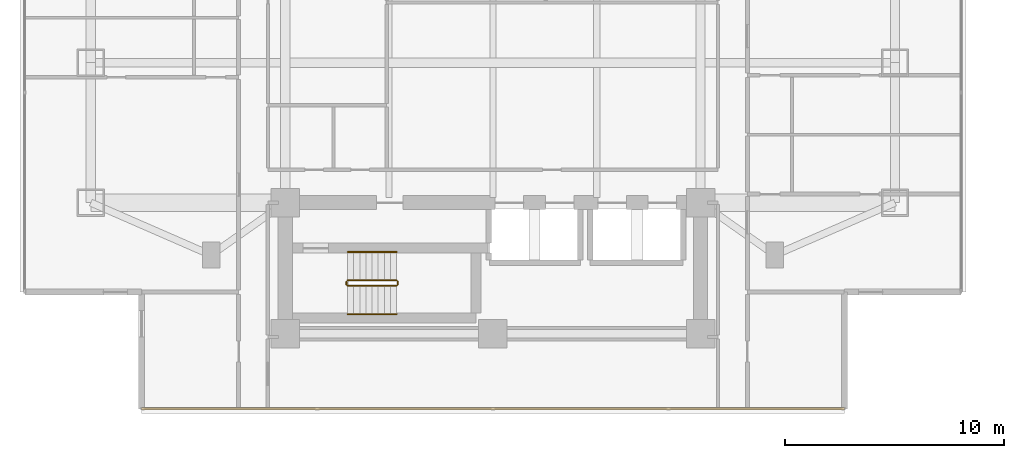
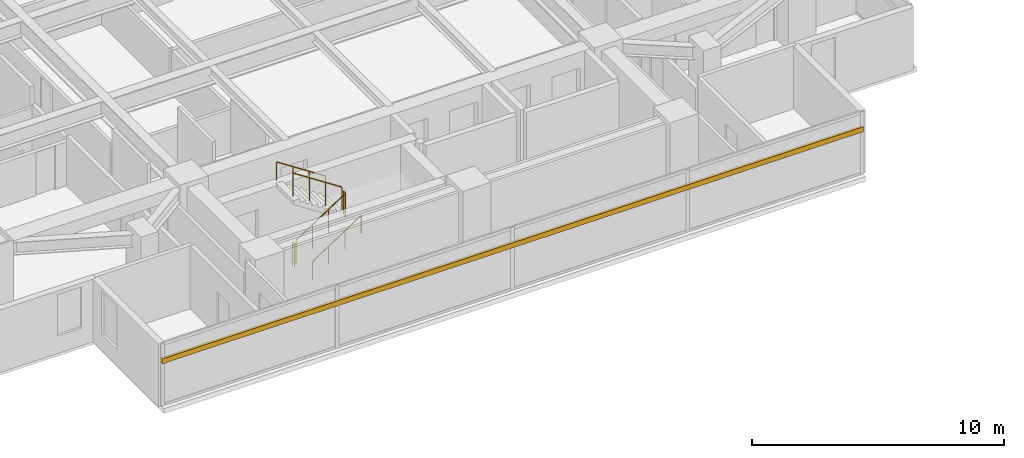
# One storey, part 19 of 24: 6 railings, 1 shading device.
"""IFC4 building model written with IfcOpenShell, lengths in metres."""

import ifcopenshell
import ifcopenshell.guid

model = None  # the IFC model being written
_history = None  # IfcOwnerHistory: only IFC2X3 demands one
_inside = {}  # id of a spatial element -> (the spatial element, [elements in it])
_under = {}  # id of a project, library or spatial element -> (it, [spatial elements below it])
_declared = {}  # id of a project -> (the project, [libraries it declares])
_typed = {}  # id of a type object -> (the type object, [elements of that type])
_made_of = {}  # id of a material, layer set ... -> (it, [elements and type objects made of it])


def new_model(schema):
    """Start an empty IFC model of exactly this schema.

    Asked for "IFC4X3", IfcOpenShell would pick the latest addendum, in which some entities
    have other attributes; the version numbers below select the first issue.
    IFC2X3 requires an IfcOwnerHistory on every rooted entity: one is made here for all.
    """
    global model, _history
    if schema == "IFC4X3":
        model = ifcopenshell.file(schema_version=(4, 3, 0, 0))
    else:
        model = ifcopenshell.file(schema=schema)
    _inside.clear()
    _under.clear()
    _declared.clear()
    _typed.clear()
    _made_of.clear()
    _history = None
    if model.schema == "IFC2X3":
        org = make("IfcOrganization", Name="unknown")
        user = make(
            "IfcPersonAndOrganization",
            ThePerson=make("IfcPerson", FamilyName="unknown"),
            TheOrganization=org,
        )
        app = make(
            "IfcApplication",
            ApplicationDeveloper=org,
            Version="unknown",
            ApplicationFullName="unknown",
            ApplicationIdentifier="unknown",
        )
        _history = make(
            "IfcOwnerHistory",
            OwningUser=user,
            OwningApplication=app,
            ChangeAction="ADDED",
            CreationDate=0,
        )
    return model


def make(cls, **values):
    """One entity of the class cls with the attributes given. An attribute that is None is left unset."""
    return model.create_entity(
        cls, **{name: value for name, value in values.items() if value is not None}
    )


def rooted(cls, **values):
    """An entity with a GlobalId (a new one), such as an element, a storey or a relation."""
    return make(cls, GlobalId=ifcopenshell.guid.new(), OwnerHistory=_history, **values)


def si_unit(unit_type, name, prefix=None):
    """IfcSIUnit, for example si_unit("LENGTHUNIT", "METRE", prefix="MILLI")."""
    return make("IfcSIUnit", UnitType=unit_type, Prefix=prefix, Name=name)


def assignment(units):
    """IfcUnitAssignment: the units of a project."""
    return None if units is None else make("IfcUnitAssignment", Units=units)


def point(xyz):
    """IfcCartesianPoint."""
    return None if xyz is None else make("IfcCartesianPoint", Coordinates=xyz)


def direction(xyz):
    """IfcDirection."""
    return None if xyz is None else make("IfcDirection", DirectionRatios=xyz)


def frame(location, z_axis=None, x_axis=None):
    """IfcAxis2Placement3D, a coordinate frame: its origin and axes. An axis left out is left unset."""
    return make(
        "IfcAxis2Placement3D",
        Location=point(location),
        Axis=direction(z_axis),
        RefDirection=direction(x_axis),
    )


def frame_2d(location, x_axis=None):
    """IfcAxis2Placement2D, a coordinate frame in the plane: its origin and x axis."""
    return make(
        "IfcAxis2Placement2D", Location=point(location), RefDirection=direction(x_axis)
    )


def origin():
    """The frame at (0, 0, 0) with its axes left unset."""
    return frame((0.0, 0.0, 0.0))


def origin_2d():
    """The frame at (0, 0) in the plane with its x axis left unset."""
    return frame_2d((0.0, 0.0))


def place(relative_to, where):
    """IfcLocalPlacement: puts the frame where relative to a parent placement (None: the world)."""
    return make(
        "IfcLocalPlacement", PlacementRelTo=relative_to, RelativePlacement=where
    )


def context(
    kind, dimensions, precision=None, world=None, true_north=None, identifier=None
):
    """IfcGeometricRepresentationContext, for example the 3D "Model" context."""
    return make(
        "IfcGeometricRepresentationContext",
        ContextIdentifier=identifier,
        ContextType=kind,
        CoordinateSpaceDimension=dimensions,
        Precision=precision,
        WorldCoordinateSystem=world,
        TrueNorth=true_north,
    )


def subcontext(parent, identifier, kind, view, scale=None):
    """IfcGeometricRepresentationSubContext, for example "Body" below "Model"."""
    return make(
        "IfcGeometricRepresentationSubContext",
        ContextIdentifier=identifier,
        ContextType=kind,
        ParentContext=parent,
        TargetScale=scale,
        TargetView=view,
    )


def project(units=None, contexts=None):
    """IfcProject with its units and contexts."""
    return rooted(
        "IfcProject",
        Name="project",
        RepresentationContexts=contexts,
        UnitsInContext=assignment(units),
    )


def spatial(cls, under=None, at=None, **own):
    """A site, building, storey or space (cls), placed at a placement, below another one or the project."""
    s = rooted(cls, ObjectPlacement=at, **own)
    if under is not None:
        _under.setdefault(under.id(), (under, []))[1].append(s)
    return s


def profile(cls, at=None, kind="AREA", **sizes):
    """A parametric profile (cls). Its sizes go by their IFC names, for example OverallWidth=200.0."""
    return make(cls, ProfileType=kind, Position=at, **sizes)


def rectangle(**sizes):
    """IfcRectangleProfileDef."""
    return profile("IfcRectangleProfileDef", **sizes)


def circle(**sizes):
    """IfcCircleProfileDef."""
    return profile("IfcCircleProfileDef", **sizes)


def extrude(swept, where, along, depth):
    """IfcExtrudedAreaSolid: the profile swept, set in the frame where, extruded along a direction by depth."""
    return make(
        "IfcExtrudedAreaSolid",
        SweptArea=swept,
        Position=where,
        ExtrudedDirection=direction(along),
        Depth=depth,
    )


def shape(context_of_items, identifier, shape_type, items):
    """IfcShapeRepresentation: the items that make up one representation, for example the "Body"."""
    return make(
        "IfcShapeRepresentation",
        ContextOfItems=context_of_items,
        RepresentationIdentifier=identifier,
        RepresentationType=shape_type,
        Items=items,
    )


def material(Name=None, Category=None):
    """IfcMaterial."""
    return make("IfcMaterial", Name=Name, Category=Category)


def material_profile(
    of_material, cross_section, Name=None, Category=None, Priority=None
):
    """IfcMaterialProfile: a cross section and its material."""
    return make(
        "IfcMaterialProfile",
        Name=Name,
        Material=of_material,
        Profile=cross_section,
        Priority=Priority,
        Category=Category,
    )


def profile_set(profiles, Name=None, composite=None):
    """IfcMaterialProfileSet."""
    return make(
        "IfcMaterialProfileSet",
        Name=Name,
        MaterialProfiles=profiles,
        CompositeProfile=composite,
    )


def made_of(thing, what):
    """Note that an element or type object is made of a material, layer set ...; save() writes the relation."""
    if what is not None:
        _made_of.setdefault(what.id(), (what, []))[1].append(thing)
    return thing


def type_object(cls, material=None, **own):
    """A type object (cls), such as IfcWallType, which elements share."""
    return made_of(rooted(cls, **own), material)


def element(
    cls,
    number,
    at=None,
    inside=None,
    cuts=None,
    type_object=None,
    material=None,
    context=None,
    identifier="Body",
    shape_type=None,
    held_by="IfcProductDefinitionShape",
    body=None,
    shapes=None,
    **own,
):
    """One element of the class cls, such as IfcWall. Its Tag is "e" and its number.

    at: its placement. inside: the storey or other place that contains it. cuts: it is an
    opening in that element (IfcRelVoidsElement). A single representation is given by context,
    identifier, shape_type and body (its items); several are given by shapes. held_by: the class
    of the entity that holds the representations. save() writes the other relations.
    """
    e = rooted(cls, Tag="e%d" % number, ObjectPlacement=at, **own)
    if body is not None:
        shapes = [shape(context, identifier, shape_type, body)]
    if shapes is not None:
        e.Representation = make(held_by, Representations=shapes)
    if inside is not None:
        _inside.setdefault(inside.id(), (inside, []))[1].append(e)
    if cuts is not None:
        rooted(
            "IfcRelVoidsElement", RelatingBuildingElement=cuts, RelatedOpeningElement=e
        )
    if type_object is not None:
        _typed.setdefault(type_object.id(), (type_object, []))[1].append(e)
    return made_of(e, material)


def aggregate(whole, parts):
    """IfcRelAggregates: a whole, such as a stair, and the parts it consists of."""
    return rooted("IfcRelAggregates", RelatingObject=whole, RelatedObjects=parts)


def save(model, path):
    """Write the relations noted so far, then the file.

    IfcRelAggregates (storeys below a building ...), IfcRelContainedInSpatialStructure (elements
    in a storey), IfcRelDefinesByType, IfcRelAssociatesMaterial and IfcRelDeclares: one each for
    every whole, place, type object, material and project.
    """
    for whole, parts in _under.values():
        aggregate(whole, parts)
    for where, things in _inside.values():
        rooted(
            "IfcRelContainedInSpatialStructure",
            RelatedElements=things,
            RelatingStructure=where,
        )
    for kind, things in _typed.values():
        rooted("IfcRelDefinesByType", RelatedObjects=things, RelatingType=kind)
    for what, things in _made_of.values():
        rooted("IfcRelAssociatesMaterial", RelatedObjects=things, RelatingMaterial=what)
    for by, libraries in _declared.values():
        rooted("IfcRelDeclares", RelatingContext=by, RelatedDefinitions=libraries)
    model.write(path)


model = new_model("IFC4")

# Units and contexts
model_context = context("Model", 3, precision=1e-05, world=origin(), true_north=direction((0.0, 1.0)))
body_context = subcontext(model_context, "Body", "Model", "MODEL_VIEW")
ifc_project = project(units=[si_unit("LENGTHUNIT", "METRE"), si_unit("AREAUNIT", "SQUARE_METRE"), si_unit("VOLUMEUNIT", "CUBIC_METRE"), si_unit("PLANEANGLEUNIT", "RADIAN"), si_unit("MASSUNIT", "GRAM", prefix="KILO")], contexts=[model_context])

# Site, building, storey
site_placement = place(None, origin())
site = spatial("IfcSite", under=ifc_project, at=site_placement, CompositionType="ELEMENT")
building_placement = place(site_placement, origin())
building = spatial("IfcBuilding", under=site, at=building_placement, Name="Mirazonda Arch Towers", CompositionType="ELEMENT")
storey_placement = place(building_placement, frame((0.0, 0.0, 62.0)))
storey = spatial("IfcBuildingStorey", under=building, at=storey_placement, Name="L17", CompositionType="ELEMENT", Elevation=62.0)

# Shading device
ifc_material_1 = material(Name="Kiln-Fired Architectural Terracotta", Category="masonry")
ifc_material_profile = material_profile(ifc_material_1, rectangle(XDim=0.1201171875, YDim=0.239990234375, at=origin_2d()), Name="TERRA-BAG-120x240")
ifc_profile_set = profile_set([ifc_material_profile], Name="Kiln-Fired Architectural Terracotta")
shading_device_type = type_object("IfcShadingDeviceType", Name="BAGUETTE-1", PredefinedType="USERDEFINED", material=ifc_profile_set)
shading_device_placement = place(storey_placement, frame((36.580078125, 8.966064453125, 2.188720703125), z_axis=(-1.0, 0.0, 0.0), x_axis=(0.0, -1.0, 0.0)))
element("IfcShadingDevice", 1, at=shading_device_placement, inside=storey, type_object=shading_device_type, Name="L17 Glazed Terracotta Sun-Screen Baguette CW-L17-T1-S", ObjectType="BAGUETTE", PredefinedType="USERDEFINED", context=body_context, shape_type="SweptSolid", body=[
    extrude(rectangle(XDim=0.1201171875, YDim=0.239990234375, at=origin_2d()), origin(), (0.0, 0.0, 1.0), 32.16015625),
])

# Railings
ifc_material_2 = material(Name="Architectural Brushed Steel S355", Category="steel")
railing_type_1 = type_object("IfcRailingType", Name="GUARD-STAIR-1120", PredefinedType="GUARDRAIL", material=ifc_material_2)
railing_1_placement = place(storey_placement, frame((13.85009765625, 14.60009765625, 0.183349609375)))
element("IfcRailing", 2, at=railing_1_placement, inside=storey, type_object=railing_type_1, Name="L17 ST-T1S stair guard 1", PredefinedType="GUARDRAIL", context=body_context, shape_type="SweptSolid", body=[
    extrude(circle(Radius=0.02392578125, at=origin_2d()), frame((0.0, 0.0, 1.1259765625), z_axis=(0.836636935527, 0.0, 0.547757827979), x_axis=(0.0, 1.0, 0.0)), (0.0, 0.0, 1.0), 2.677490234375),
    extrude(circle(Radius=0.02099609375, at=origin_2d()), origin(), (0.0, 0.0, 1.0), 1.101806640625),
    extrude(circle(Radius=0.02099609375, at=origin_2d()), frame((0.74658203125, 0.0, 0.48876953125)), (0.0, 0.0, 1.0), 1.101806640625),
    extrude(circle(Radius=0.02099609375, at=origin_2d()), frame((1.493408203125, 0.0, 0.977783203125)), (0.0, 0.0, 1.0), 1.101806640625),
    extrude(circle(Radius=0.02099609375, at=origin_2d()), frame((2.239990234375, 0.0, 1.466552734375)), (0.0, 0.0, 1.0), 1.101806640625),
])
railing_2_placement = place(storey_placement, frame((16.139892578125, 14.64990234375, 1.64990234375)))
element("IfcRailing", 3, at=railing_2_placement, inside=storey, type_object=railing_type_1, Name="L17 ST-T1S stair guard 2", PredefinedType="GUARDRAIL", context=body_context, shape_type="SweptSolid", body=[
    extrude(circle(Radius=0.02392578125, at=origin_2d()), frame((0.0, 0.0, 1.1259765625), z_axis=(0.0, 1.0, 0.0), x_axis=(-1.0, 0.0, 0.0)), (0.0, 0.0, 1.0), 0.14013671875),
    extrude(circle(Radius=0.02099609375, at=origin_2d()), origin(), (0.0, 0.0, 1.0), 1.101806640625),
    extrude(circle(Radius=0.02099609375, at=origin_2d()), frame((0.0, 0.14013671875, 0.0)), (0.0, 0.0, 1.0), 1.101806640625),
])
railing_3_placement = place(storey_placement, frame((16.090087890625, 14.840087890625, 1.833251953125)))
element("IfcRailing", 4, at=railing_3_placement, inside=storey, type_object=railing_type_1, Name="L17 ST-T1S stair guard 3", PredefinedType="GUARDRAIL", context=body_context, shape_type="SweptSolid", body=[
    extrude(circle(Radius=0.02392578125, at=origin_2d()), frame((0.0, 0.0, 1.1259765625), z_axis=(-0.836595146698, 0.0, 0.547821650285), x_axis=(0.0, -1.0, 0.0)), (0.0, 0.0, 1.0), 2.677490234375),
    extrude(circle(Radius=0.02099609375, at=origin_2d()), origin(), (0.0, 0.0, 1.0), 1.101806640625),
    extrude(circle(Radius=0.02099609375, at=origin_2d()), frame((-0.74658203125, 0.0, 0.489013671875)), (0.0, 0.0, 1.0), 1.101806640625),
    extrude(circle(Radius=0.02099609375, at=origin_2d()), frame((-1.493408203125, 0.0, 0.977783203125)), (0.0, 0.0, 1.0), 1.101806640625),
    extrude(circle(Radius=0.02099609375, at=origin_2d()), frame((-2.239990234375, 0.0, 1.466796875)), (0.0, 0.0, 1.0), 1.101806640625),
])
railing_4_placement = place(storey_placement, frame((13.800048828125, 14.64990234375, 0.0)))
element("IfcRailing", 5, at=railing_4_placement, inside=storey, type_object=railing_type_1, Name="L17 ST-T1S stair guard 4", PredefinedType="GUARDRAIL", context=body_context, shape_type="SweptSolid", body=[
    extrude(circle(Radius=0.02392578125, at=origin_2d()), frame((0.0, 0.0, 1.1259765625), z_axis=(0.0, 1.0, 0.0), x_axis=(-1.0, 0.0, 0.0)), (0.0, 0.0, 1.0), 0.14013671875),
    extrude(circle(Radius=0.02099609375, at=origin_2d()), origin(), (0.0, 0.0, 1.0), 1.101806640625),
    extrude(circle(Radius=0.02099609375, at=origin_2d()), frame((0.0, 0.14013671875, 0.0)), (0.0, 0.0, 1.0), 1.101806640625),
])
railing_type_2 = type_object("IfcRailingType", Name="HANDRAIL-915", PredefinedType="HANDRAIL", material=ifc_material_2)
railing_5_placement = place(storey_placement, frame((13.85009765625, 13.300048828125, 0.183349609375)))
element("IfcRailing", 6, at=railing_5_placement, inside=storey, type_object=railing_type_2, Name="L17 ST-T1S stair handrail 1", PredefinedType="HANDRAIL", context=body_context, shape_type="SweptSolid", body=[
    extrude(circle(Radius=0.02392578125, at=origin_2d()), frame((0.0, 0.0, 0.8759765625), z_axis=(0.836636935527, 0.0, 0.547757827979), x_axis=(0.0, 1.0, 0.0)), (0.0, 0.0, 1.0), 2.677490234375),
    extrude(circle(Radius=0.02099609375, at=origin_2d()), origin(), (0.0, 0.0, 1.0), 0.851806640625),
    extrude(circle(Radius=0.02099609375, at=origin_2d()), frame((0.74658203125, 0.0, 0.48876953125)), (0.0, 0.0, 1.0), 0.851806640625),
    extrude(circle(Radius=0.02099609375, at=origin_2d()), frame((1.493408203125, 0.0, 0.977783203125)), (0.0, 0.0, 1.0), 0.851806640625),
    extrude(circle(Radius=0.02099609375, at=origin_2d()), frame((2.239990234375, 0.0, 1.466552734375)), (0.0, 0.0, 1.0), 0.851806640625),
])
railing_6_placement = place(storey_placement, frame((16.090087890625, 16.139892578125, 1.833251953125)))
element("IfcRailing", 7, at=railing_6_placement, inside=storey, type_object=railing_type_2, Name="L17 ST-T1S stair handrail 2", PredefinedType="HANDRAIL", context=body_context, shape_type="SweptSolid", body=[
    extrude(circle(Radius=0.02392578125, at=origin_2d()), frame((0.0, 0.0, 0.8759765625), z_axis=(-0.836595146698, 0.0, 0.547821650285), x_axis=(0.0, -1.0, 0.0)), (0.0, 0.0, 1.0), 2.677490234375),
    extrude(circle(Radius=0.02099609375, at=origin_2d()), origin(), (0.0, 0.0, 1.0), 0.851806640625),
    extrude(circle(Radius=0.02099609375, at=origin_2d()), frame((-0.74658203125, 0.0, 0.489013671875)), (0.0, 0.0, 1.0), 0.851806640625),
    extrude(circle(Radius=0.02099609375, at=origin_2d()), frame((-1.493408203125, 0.0, 0.977783203125)), (0.0, 0.0, 1.0), 0.851806640625),
    extrude(circle(Radius=0.02099609375, at=origin_2d()), frame((-2.239990234375, 0.0, 1.466796875)), (0.0, 0.0, 1.0), 0.851806640625),
])

save(model, "model.ifc")
